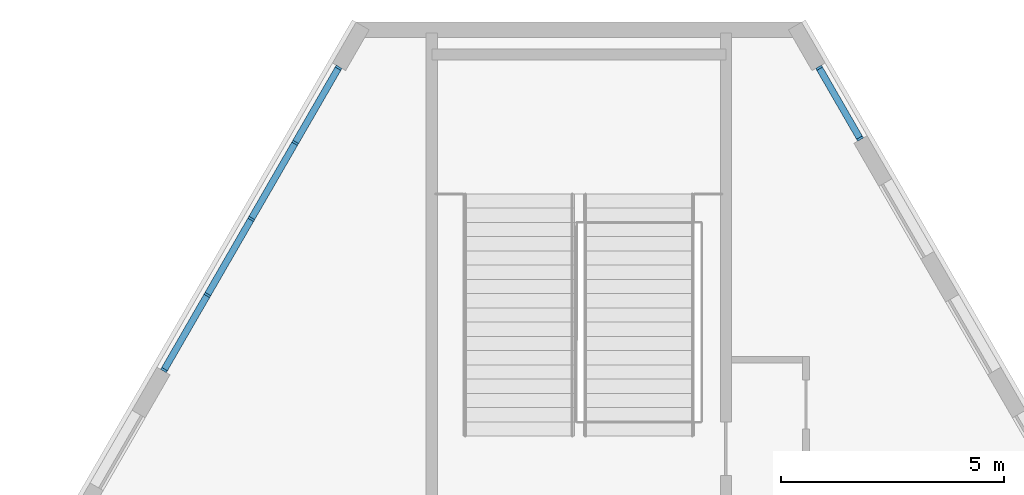
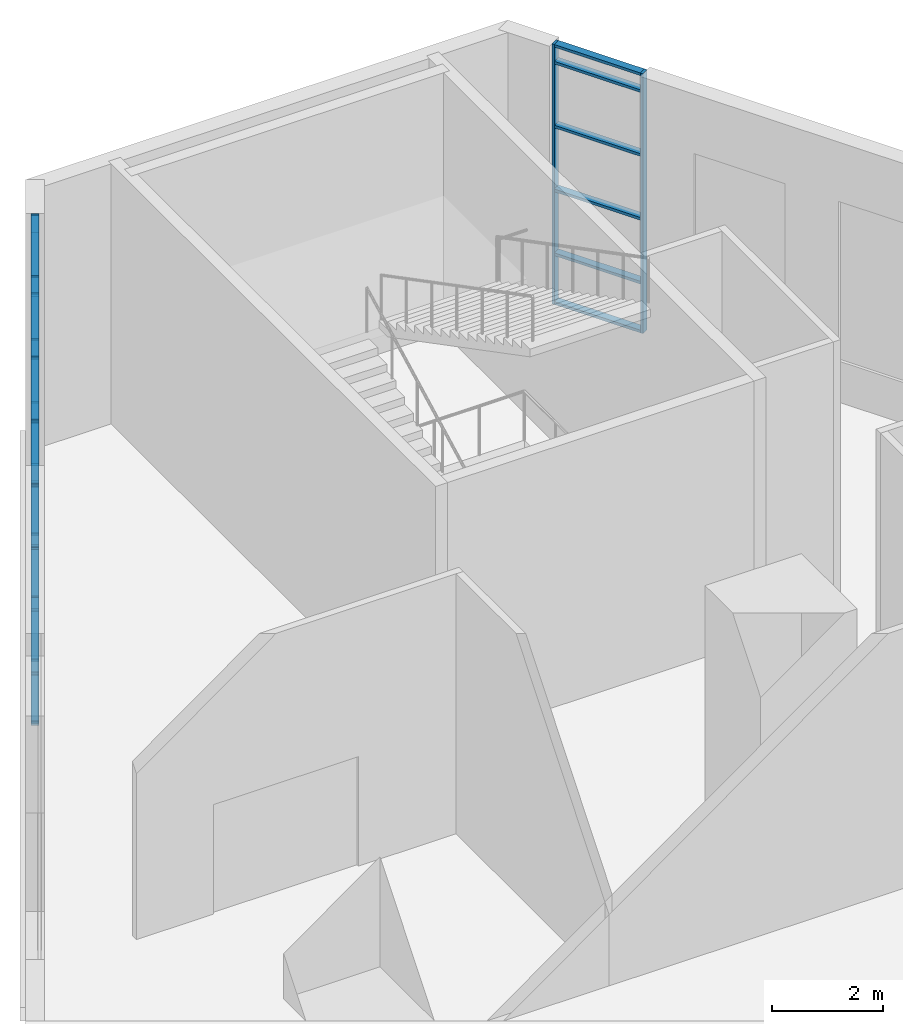
# One storey, part 10 of 27: 37 members, 2 elements without a shape of their own.
"""IFC4 building model written with IfcOpenShell, lengths in metres."""

from ifc_helpers import new_model, si_unit, direction, frame, origin, origin_2d, place, context, subcontext, project, spatial, rectangle, extrude, material, material_profile, profile_set, type_object, element, aggregate, save


model = new_model("IFC4")

# Units and contexts
model_context = context("Model", 3, precision=1e-05, world=origin(), true_north=direction((0.0, 1.0)))
body_context = subcontext(model_context, "Body", "Model", "MODEL_VIEW")
ifc_project = project(units=[si_unit("LENGTHUNIT", "METRE"), si_unit("AREAUNIT", "SQUARE_METRE"), si_unit("VOLUMEUNIT", "CUBIC_METRE"), si_unit("PLANEANGLEUNIT", "RADIAN"), si_unit("MASSUNIT", "GRAM", prefix="KILO")], contexts=[model_context])

# Site, building, storey
site_placement = place(None, origin())
site = spatial("IfcSite", under=ifc_project, at=site_placement, CompositionType="ELEMENT")
building_placement = place(site_placement, origin())
building = spatial("IfcBuilding", under=site, at=building_placement, Name="Fogline Exchange Tower", CompositionType="ELEMENT")
storey_placement = place(building_placement, frame((0.0, 0.0, 8.0)))
storey = spatial("IfcBuildingStorey", under=building, at=storey_placement, Name="L01", CompositionType="ELEMENT", Elevation=8.0)

# Curtain wall, members
ifc_material_1 = material(Name="Aluminium and glass", Category="aluminium")
curtain_wall_type = type_object("IfcCurtainWallType", Name="CW3", PredefinedType="NOTDEFINED", material=ifc_material_1)
curtain_wall_1_placement = place(storey_placement, origin())
curtain_wall_1 = element("IfcCurtainWall", 1, at=curtain_wall_1_placement, inside=storey, type_object=curtain_wall_type, Name="CW3 L01 E run 4", PredefinedType="NOTDEFINED")
ifc_material_2 = material(Name="Aluminium", Category="aluminium")
ifc_material_profile_1 = material_profile(ifc_material_2, rectangle(XDim=0.14990234375, YDim=0.050048828125, at=origin_2d()), Name="Mullion 50x150")
ifc_profile_set_1 = profile_set([ifc_material_profile_1], Name="Aluminium")
member_type_1 = type_object("IfcMemberType", Name="CW3-M", PredefinedType="MULLION", material=ifc_profile_set_1)
member_1_placement = place(storey_placement, frame((6.3115234375, 71.866455078125, 0.0), z_axis=(0.0, 0.0, 1.0), x_axis=(-0.866024357877, -0.500001811561, 0.0)))
member_1 = element("IfcMember", 2, at=member_1_placement, type_object=member_type_1, Name="CW3-P01-07 mullion 1", PredefinedType="MULLION", context=body_context, shape_type="SweptSolid", body=[
    extrude(rectangle(XDim=0.14990234375, YDim=0.050048828125, at=origin_2d()), origin(), (0.0, 0.0, 1.0), 5.699951171875),
])
member_2_placement = place(storey_placement, frame((5.39404296875, 73.455810546875, 0.0), z_axis=(0.0, 0.0, 1.0), x_axis=(-0.866024357877, -0.500001811561, 0.0)))
member_2 = element("IfcMember", 3, at=member_2_placement, type_object=member_type_1, Name="CW3-P01-07 mullion 2", PredefinedType="MULLION", context=body_context, shape_type="SweptSolid", body=[
    extrude(rectangle(XDim=0.14990234375, YDim=0.050048828125, at=origin_2d()), origin(), (0.0, 0.0, 1.0), 5.699951171875),
])

curtain_wall_2_placement = place(storey_placement, origin())
curtain_wall_2 = element("IfcCurtainWall", 4, at=curtain_wall_2_placement, inside=storey, type_object=curtain_wall_type, Name="CW3 L01 W run 1", PredefinedType="NOTDEFINED")
member_3_placement = place(storey_placement, frame((-5.39404296875, 73.455810546875, 0.0), z_axis=(0.0, 0.0, 1.0), x_axis=(0.866025393993, -0.500000016959, 0.0)))
member_3 = element("IfcMember", 5, at=member_3_placement, type_object=member_type_1, Name="CW3-P01-08 mullion 1", PredefinedType="MULLION", context=body_context, shape_type="SweptSolid", body=[
    extrude(rectangle(XDim=0.14990234375, YDim=0.050048828125, at=origin_2d()), origin(), (0.0, 0.0, 1.0), 5.699951171875),
])
member_4_placement = place(storey_placement, frame((-6.3671875, 71.770263671875, 0.0), z_axis=(0.0, 0.0, 1.0), x_axis=(0.866025393993, -0.500000016959, 0.0)))
member_4 = element("IfcMember", 6, at=member_4_placement, type_object=member_type_1, Name="CW3-P01-08 mullion 2", PredefinedType="MULLION", context=body_context, shape_type="SweptSolid", body=[
    extrude(rectangle(XDim=0.14990234375, YDim=0.050048828125, at=origin_2d()), origin(), (0.0, 0.0, 1.0), 5.699951171875),
])
member_5_placement = place(storey_placement, frame((-7.352783203125, 70.06298828125, 0.0), z_axis=(0.0, 0.0, 1.0), x_axis=(0.866025393993, -0.500000016959, 0.0)))
member_5 = element("IfcMember", 7, at=member_5_placement, type_object=member_type_1, Name="CW3-P01-08 mullion 3", PredefinedType="MULLION", context=body_context, shape_type="SweptSolid", body=[
    extrude(rectangle(XDim=0.14990234375, YDim=0.050048828125, at=origin_2d()), origin(), (0.0, 0.0, 1.0), 5.699951171875),
])
member_6_placement = place(storey_placement, frame((-8.33837890625, 68.35595703125, 0.0), z_axis=(0.0, 0.0, 1.0), x_axis=(0.866025393993, -0.500000016959, 0.0)))
member_6 = element("IfcMember", 8, at=member_6_placement, type_object=member_type_1, Name="CW3-P01-08 mullion 4", PredefinedType="MULLION", context=body_context, shape_type="SweptSolid", body=[
    extrude(rectangle(XDim=0.14990234375, YDim=0.050048828125, at=origin_2d()), origin(), (0.0, 0.0, 1.0), 5.699951171875),
])
member_7_placement = place(storey_placement, frame((-9.3115234375, 66.67041015625, 0.0), z_axis=(0.0, 0.0, 1.0), x_axis=(0.866025393993, -0.500000016959, 0.0)))
member_7 = element("IfcMember", 9, at=member_7_placement, type_object=member_type_1, Name="CW3-P01-08 mullion 5", PredefinedType="MULLION", context=body_context, shape_type="SweptSolid", body=[
    extrude(rectangle(XDim=0.14990234375, YDim=0.050048828125, at=origin_2d()), origin(), (0.0, 0.0, 1.0), 5.699951171875),
])

# Member
ifc_material_profile_2 = material_profile(ifc_material_2, rectangle(XDim=0.14990234375, YDim=0.06005859375, at=origin_2d()), Name="Transom 60x150")
ifc_profile_set_2 = profile_set([ifc_material_profile_2], Name="Aluminium")
member_type_2 = type_object("IfcMemberType", Name="CW3-T", PredefinedType="USERDEFINED", material=ifc_profile_set_2)
member_8_placement = place(storey_placement, frame((6.299072265625, 71.88818359375, 0.030029296875), z_axis=(-0.500022371132, 0.86601248742, 0.0), x_axis=(-0.86601248742, -0.500022371132, 0.0)))
member_8 = element("IfcMember", 10, at=member_8_placement, type_object=member_type_2, Name="CW3-P01-07 transom 1.1", ObjectType="TRANSOM", PredefinedType="USERDEFINED", context=body_context, shape_type="SweptSolid", body=[
    extrude(rectangle(XDim=0.14990234375, YDim=0.06005859375, at=origin_2d()), origin(), (0.0, 0.0, 1.0), 1.78515625),
])

member_9_placement = place(storey_placement, frame((6.299072265625, 71.88818359375, 1.10009765625), z_axis=(-0.500022371132, 0.86601248742, 0.0), x_axis=(-0.86601248742, -0.500022371132, 0.0)))
member_9 = element("IfcMember", 11, at=member_9_placement, type_object=member_type_2, Name="CW3-P01-07 transom 1.2", ObjectType="TRANSOM", PredefinedType="USERDEFINED", context=body_context, shape_type="SweptSolid", body=[
    extrude(rectangle(XDim=0.14990234375, YDim=0.06005859375, at=origin_2d()), origin(), (0.0, 0.0, 1.0), 1.78515625),
])

member_10_placement = place(storey_placement, frame((6.299072265625, 71.88818359375, 2.5), z_axis=(-0.500022371132, 0.86601248742, 0.0), x_axis=(-0.86601248742, -0.500022371132, 0.0)))
member_10 = element("IfcMember", 12, at=member_10_placement, type_object=member_type_2, Name="CW3-P01-07 transom 1.3", ObjectType="TRANSOM", PredefinedType="USERDEFINED", context=body_context, shape_type="SweptSolid", body=[
    extrude(rectangle(XDim=0.14990234375, YDim=0.06005859375, at=origin_2d()), origin(), (0.0, 0.0, 1.0), 1.78515625),
])

member_11_placement = place(storey_placement, frame((6.299072265625, 71.88818359375, 3.89990234375), z_axis=(-0.500022371132, 0.86601248742, 0.0), x_axis=(-0.86601248742, -0.500022371132, 0.0)))
member_11 = element("IfcMember", 13, at=member_11_placement, type_object=member_type_2, Name="CW3-P01-07 transom 1.4", ObjectType="TRANSOM", PredefinedType="USERDEFINED", context=body_context, shape_type="SweptSolid", body=[
    extrude(rectangle(XDim=0.14990234375, YDim=0.06005859375, at=origin_2d()), origin(), (0.0, 0.0, 1.0), 1.78515625),
])

member_12_placement = place(storey_placement, frame((6.299072265625, 71.88818359375, 5.300048828125), z_axis=(-0.500022371132, 0.86601248742, 0.0), x_axis=(-0.86601248742, -0.500022371132, 0.0)))
member_12 = element("IfcMember", 14, at=member_12_placement, type_object=member_type_2, Name="CW3-P01-07 transom 1.5", ObjectType="TRANSOM", PredefinedType="USERDEFINED", context=body_context, shape_type="SweptSolid", body=[
    extrude(rectangle(XDim=0.14990234375, YDim=0.06005859375, at=origin_2d()), origin(), (0.0, 0.0, 1.0), 1.78515625),
])

member_13_placement = place(storey_placement, frame((6.299072265625, 71.88818359375, 5.669921875), z_axis=(-0.500022371132, 0.86601248742, 0.0), x_axis=(-0.86601248742, -0.500022371132, 0.0)))
member_13 = element("IfcMember", 15, at=member_13_placement, type_object=member_type_2, Name="CW3-P01-07 transom 1.6", ObjectType="TRANSOM", PredefinedType="USERDEFINED", context=body_context, shape_type="SweptSolid", body=[
    extrude(rectangle(XDim=0.14990234375, YDim=0.06005859375, at=origin_2d()), origin(), (0.0, 0.0, 1.0), 1.78515625),
])

aggregate(curtain_wall_1, [member_1, member_2, member_8, member_9, member_10, member_11, member_12, member_13])

member_14_placement = place(storey_placement, frame((-5.406494140625, 73.43408203125, 0.030029296875), z_axis=(-0.500015905979, -0.866016220268, 0.0), x_axis=(0.866016220268, -0.500015905979, 0.0)))
member_14 = element("IfcMember", 16, at=member_14_placement, type_object=member_type_2, Name="CW3-P01-08 transom 1.1", ObjectType="TRANSOM", PredefinedType="USERDEFINED", context=body_context, shape_type="SweptSolid", body=[
    extrude(rectangle(XDim=0.14990234375, YDim=0.06005859375, at=origin_2d()), origin(), (0.0, 0.0, 1.0), 1.896484375),
])

member_15_placement = place(storey_placement, frame((-5.406494140625, 73.43408203125, 1.10009765625), z_axis=(-0.500015905979, -0.866016220268, 0.0), x_axis=(0.866016220268, -0.500015905979, 0.0)))
member_15 = element("IfcMember", 17, at=member_15_placement, type_object=member_type_2, Name="CW3-P01-08 transom 1.2", ObjectType="TRANSOM", PredefinedType="USERDEFINED", context=body_context, shape_type="SweptSolid", body=[
    extrude(rectangle(XDim=0.14990234375, YDim=0.06005859375, at=origin_2d()), origin(), (0.0, 0.0, 1.0), 1.896484375),
])

member_16_placement = place(storey_placement, frame((-5.406494140625, 73.43408203125, 2.5), z_axis=(-0.500015905979, -0.866016220268, 0.0), x_axis=(0.866016220268, -0.500015905979, 0.0)))
member_16 = element("IfcMember", 18, at=member_16_placement, type_object=member_type_2, Name="CW3-P01-08 transom 1.3", ObjectType="TRANSOM", PredefinedType="USERDEFINED", context=body_context, shape_type="SweptSolid", body=[
    extrude(rectangle(XDim=0.14990234375, YDim=0.06005859375, at=origin_2d()), origin(), (0.0, 0.0, 1.0), 1.896484375),
])

member_17_placement = place(storey_placement, frame((-5.406494140625, 73.43408203125, 3.89990234375), z_axis=(-0.500015905979, -0.866016220268, 0.0), x_axis=(0.866016220268, -0.500015905979, 0.0)))
member_17 = element("IfcMember", 19, at=member_17_placement, type_object=member_type_2, Name="CW3-P01-08 transom 1.4", ObjectType="TRANSOM", PredefinedType="USERDEFINED", context=body_context, shape_type="SweptSolid", body=[
    extrude(rectangle(XDim=0.14990234375, YDim=0.06005859375, at=origin_2d()), origin(), (0.0, 0.0, 1.0), 1.896484375),
])

member_18_placement = place(storey_placement, frame((-5.406494140625, 73.43408203125, 5.300048828125), z_axis=(-0.500015905979, -0.866016220268, 0.0), x_axis=(0.866016220268, -0.500015905979, 0.0)))
member_18 = element("IfcMember", 20, at=member_18_placement, type_object=member_type_2, Name="CW3-P01-08 transom 1.5", ObjectType="TRANSOM", PredefinedType="USERDEFINED", context=body_context, shape_type="SweptSolid", body=[
    extrude(rectangle(XDim=0.14990234375, YDim=0.06005859375, at=origin_2d()), origin(), (0.0, 0.0, 1.0), 1.896484375),
])

member_19_placement = place(storey_placement, frame((-5.406494140625, 73.43408203125, 5.669921875), z_axis=(-0.500015905979, -0.866016220268, 0.0), x_axis=(0.866016220268, -0.500015905979, 0.0)))
member_19 = element("IfcMember", 21, at=member_19_placement, type_object=member_type_2, Name="CW3-P01-08 transom 1.6", ObjectType="TRANSOM", PredefinedType="USERDEFINED", context=body_context, shape_type="SweptSolid", body=[
    extrude(rectangle(XDim=0.14990234375, YDim=0.06005859375, at=origin_2d()), origin(), (0.0, 0.0, 1.0), 1.896484375),
])

member_20_placement = place(storey_placement, frame((-6.379638671875, 71.74853515625, 0.030029296875), z_axis=(-0.500034110783, -0.866005709019, 0.0), x_axis=(0.866005709019, -0.500034110783, 0.0)))
member_20 = element("IfcMember", 22, at=member_20_placement, type_object=member_type_2, Name="CW3-P01-08 transom 2.1", ObjectType="TRANSOM", PredefinedType="USERDEFINED", context=body_context, shape_type="SweptSolid", body=[
    extrude(rectangle(XDim=0.14990234375, YDim=0.06005859375, at=origin_2d()), origin(), (0.0, 0.0, 1.0), 1.921142578125),
])

member_21_placement = place(storey_placement, frame((-6.379638671875, 71.74853515625, 1.10009765625), z_axis=(-0.500034110783, -0.866005709019, 0.0), x_axis=(0.866005709019, -0.500034110783, 0.0)))
member_21 = element("IfcMember", 23, at=member_21_placement, type_object=member_type_2, Name="CW3-P01-08 transom 2.2", ObjectType="TRANSOM", PredefinedType="USERDEFINED", context=body_context, shape_type="SweptSolid", body=[
    extrude(rectangle(XDim=0.14990234375, YDim=0.06005859375, at=origin_2d()), origin(), (0.0, 0.0, 1.0), 1.921142578125),
])

member_22_placement = place(storey_placement, frame((-6.379638671875, 71.74853515625, 2.5), z_axis=(-0.500034110783, -0.866005709019, 0.0), x_axis=(0.866005709019, -0.500034110783, 0.0)))
member_22 = element("IfcMember", 24, at=member_22_placement, type_object=member_type_2, Name="CW3-P01-08 transom 2.3", ObjectType="TRANSOM", PredefinedType="USERDEFINED", context=body_context, shape_type="SweptSolid", body=[
    extrude(rectangle(XDim=0.14990234375, YDim=0.06005859375, at=origin_2d()), origin(), (0.0, 0.0, 1.0), 1.921142578125),
])

member_23_placement = place(storey_placement, frame((-6.379638671875, 71.74853515625, 3.89990234375), z_axis=(-0.500034110783, -0.866005709019, 0.0), x_axis=(0.866005709019, -0.500034110783, 0.0)))
member_23 = element("IfcMember", 25, at=member_23_placement, type_object=member_type_2, Name="CW3-P01-08 transom 2.4", ObjectType="TRANSOM", PredefinedType="USERDEFINED", context=body_context, shape_type="SweptSolid", body=[
    extrude(rectangle(XDim=0.14990234375, YDim=0.06005859375, at=origin_2d()), origin(), (0.0, 0.0, 1.0), 1.921142578125),
])

member_24_placement = place(storey_placement, frame((-6.379638671875, 71.74853515625, 5.300048828125), z_axis=(-0.500034110783, -0.866005709019, 0.0), x_axis=(0.866005709019, -0.500034110783, 0.0)))
member_24 = element("IfcMember", 26, at=member_24_placement, type_object=member_type_2, Name="CW3-P01-08 transom 2.5", ObjectType="TRANSOM", PredefinedType="USERDEFINED", context=body_context, shape_type="SweptSolid", body=[
    extrude(rectangle(XDim=0.14990234375, YDim=0.06005859375, at=origin_2d()), origin(), (0.0, 0.0, 1.0), 1.921142578125),
])

member_25_placement = place(storey_placement, frame((-6.379638671875, 71.74853515625, 5.669921875), z_axis=(-0.500034110783, -0.866005709019, 0.0), x_axis=(0.866005709019, -0.500034110783, 0.0)))
member_25 = element("IfcMember", 27, at=member_25_placement, type_object=member_type_2, Name="CW3-P01-08 transom 2.6", ObjectType="TRANSOM", PredefinedType="USERDEFINED", context=body_context, shape_type="SweptSolid", body=[
    extrude(rectangle(XDim=0.14990234375, YDim=0.06005859375, at=origin_2d()), origin(), (0.0, 0.0, 1.0), 1.921142578125),
])

member_26_placement = place(storey_placement, frame((-7.365234375, 70.04150390625, 0.030029296875), z_axis=(-0.499979088899, -0.866037476477, 0.0), x_axis=(0.866037476477, -0.499979088899, 0.0)))
member_26 = element("IfcMember", 28, at=member_26_placement, type_object=member_type_2, Name="CW3-P01-08 transom 3.1", ObjectType="TRANSOM", PredefinedType="USERDEFINED", context=body_context, shape_type="SweptSolid", body=[
    extrude(rectangle(XDim=0.14990234375, YDim=0.06005859375, at=origin_2d()), origin(), (0.0, 0.0, 1.0), 1.92138671875),
])

member_27_placement = place(storey_placement, frame((-7.365234375, 70.04150390625, 1.10009765625), z_axis=(-0.499979088899, -0.866037476477, 0.0), x_axis=(0.866037476477, -0.499979088899, 0.0)))
member_27 = element("IfcMember", 29, at=member_27_placement, type_object=member_type_2, Name="CW3-P01-08 transom 3.2", ObjectType="TRANSOM", PredefinedType="USERDEFINED", context=body_context, shape_type="SweptSolid", body=[
    extrude(rectangle(XDim=0.14990234375, YDim=0.06005859375, at=origin_2d()), origin(), (0.0, 0.0, 1.0), 1.92138671875),
])

member_28_placement = place(storey_placement, frame((-7.365234375, 70.04150390625, 2.5), z_axis=(-0.499979088899, -0.866037476477, 0.0), x_axis=(0.866037476477, -0.499979088899, 0.0)))
member_28 = element("IfcMember", 30, at=member_28_placement, type_object=member_type_2, Name="CW3-P01-08 transom 3.3", ObjectType="TRANSOM", PredefinedType="USERDEFINED", context=body_context, shape_type="SweptSolid", body=[
    extrude(rectangle(XDim=0.14990234375, YDim=0.06005859375, at=origin_2d()), origin(), (0.0, 0.0, 1.0), 1.92138671875),
])

member_29_placement = place(storey_placement, frame((-7.365234375, 70.04150390625, 3.89990234375), z_axis=(-0.499979088899, -0.866037476477, 0.0), x_axis=(0.866037476477, -0.499979088899, 0.0)))
member_29 = element("IfcMember", 31, at=member_29_placement, type_object=member_type_2, Name="CW3-P01-08 transom 3.4", ObjectType="TRANSOM", PredefinedType="USERDEFINED", context=body_context, shape_type="SweptSolid", body=[
    extrude(rectangle(XDim=0.14990234375, YDim=0.06005859375, at=origin_2d()), origin(), (0.0, 0.0, 1.0), 1.92138671875),
])

member_30_placement = place(storey_placement, frame((-7.365234375, 70.04150390625, 5.300048828125), z_axis=(-0.499979088899, -0.866037476477, 0.0), x_axis=(0.866037476477, -0.499979088899, 0.0)))
member_30 = element("IfcMember", 32, at=member_30_placement, type_object=member_type_2, Name="CW3-P01-08 transom 3.5", ObjectType="TRANSOM", PredefinedType="USERDEFINED", context=body_context, shape_type="SweptSolid", body=[
    extrude(rectangle(XDim=0.14990234375, YDim=0.06005859375, at=origin_2d()), origin(), (0.0, 0.0, 1.0), 1.92138671875),
])

member_31_placement = place(storey_placement, frame((-7.365234375, 70.04150390625, 5.669921875), z_axis=(-0.499979088899, -0.866037476477, 0.0), x_axis=(0.866037476477, -0.499979088899, 0.0)))
member_31 = element("IfcMember", 33, at=member_31_placement, type_object=member_type_2, Name="CW3-P01-08 transom 3.6", ObjectType="TRANSOM", PredefinedType="USERDEFINED", context=body_context, shape_type="SweptSolid", body=[
    extrude(rectangle(XDim=0.14990234375, YDim=0.06005859375, at=origin_2d()), origin(), (0.0, 0.0, 1.0), 1.92138671875),
])

member_32_placement = place(storey_placement, frame((-8.350830078125, 68.334228515625, 0.030029296875), z_axis=(-0.500071657253, -0.865984028497, 0.0), x_axis=(0.865984028497, -0.500071657253, 0.0)))
member_32 = element("IfcMember", 34, at=member_32_placement, type_object=member_type_2, Name="CW3-P01-08 transom 4.1", ObjectType="TRANSOM", PredefinedType="USERDEFINED", context=body_context, shape_type="SweptSolid", body=[
    extrude(rectangle(XDim=0.14990234375, YDim=0.06005859375, at=origin_2d()), origin(), (0.0, 0.0, 1.0), 1.896240234375),
])

member_33_placement = place(storey_placement, frame((-8.350830078125, 68.334228515625, 1.10009765625), z_axis=(-0.500071657253, -0.865984028497, 0.0), x_axis=(0.865984028497, -0.500071657253, 0.0)))
member_33 = element("IfcMember", 35, at=member_33_placement, type_object=member_type_2, Name="CW3-P01-08 transom 4.2", ObjectType="TRANSOM", PredefinedType="USERDEFINED", context=body_context, shape_type="SweptSolid", body=[
    extrude(rectangle(XDim=0.14990234375, YDim=0.06005859375, at=origin_2d()), origin(), (0.0, 0.0, 1.0), 1.896240234375),
])

member_34_placement = place(storey_placement, frame((-8.350830078125, 68.334228515625, 2.5), z_axis=(-0.500071657253, -0.865984028497, 0.0), x_axis=(0.865984028497, -0.500071657253, 0.0)))
member_34 = element("IfcMember", 36, at=member_34_placement, type_object=member_type_2, Name="CW3-P01-08 transom 4.3", ObjectType="TRANSOM", PredefinedType="USERDEFINED", context=body_context, shape_type="SweptSolid", body=[
    extrude(rectangle(XDim=0.14990234375, YDim=0.06005859375, at=origin_2d()), origin(), (0.0, 0.0, 1.0), 1.896240234375),
])

member_35_placement = place(storey_placement, frame((-8.350830078125, 68.334228515625, 3.89990234375), z_axis=(-0.500071657253, -0.865984028497, 0.0), x_axis=(0.865984028497, -0.500071657253, 0.0)))
member_35 = element("IfcMember", 37, at=member_35_placement, type_object=member_type_2, Name="CW3-P01-08 transom 4.4", ObjectType="TRANSOM", PredefinedType="USERDEFINED", context=body_context, shape_type="SweptSolid", body=[
    extrude(rectangle(XDim=0.14990234375, YDim=0.06005859375, at=origin_2d()), origin(), (0.0, 0.0, 1.0), 1.896240234375),
])

member_36_placement = place(storey_placement, frame((-8.350830078125, 68.334228515625, 5.300048828125), z_axis=(-0.500071657253, -0.865984028497, 0.0), x_axis=(0.865984028497, -0.500071657253, 0.0)))
member_36 = element("IfcMember", 38, at=member_36_placement, type_object=member_type_2, Name="CW3-P01-08 transom 4.5", ObjectType="TRANSOM", PredefinedType="USERDEFINED", context=body_context, shape_type="SweptSolid", body=[
    extrude(rectangle(XDim=0.14990234375, YDim=0.06005859375, at=origin_2d()), origin(), (0.0, 0.0, 1.0), 1.896240234375),
])

member_37_placement = place(storey_placement, frame((-8.350830078125, 68.334228515625, 5.669921875), z_axis=(-0.500071657253, -0.865984028497, 0.0), x_axis=(0.865984028497, -0.500071657253, 0.0)))
member_37 = element("IfcMember", 39, at=member_37_placement, type_object=member_type_2, Name="CW3-P01-08 transom 4.6", ObjectType="TRANSOM", PredefinedType="USERDEFINED", context=body_context, shape_type="SweptSolid", body=[
    extrude(rectangle(XDim=0.14990234375, YDim=0.06005859375, at=origin_2d()), origin(), (0.0, 0.0, 1.0), 1.896240234375),
])

aggregate(curtain_wall_2, [member_3, member_4, member_5, member_6, member_7, member_14, member_15, member_16, member_17, member_18, member_19, member_20, member_21, member_22, member_23, member_24, member_25, member_26, member_27, member_28, member_29, member_30, member_31, member_32, member_33, member_34, member_35, member_36, member_37])

save(model, "model.ifc")
